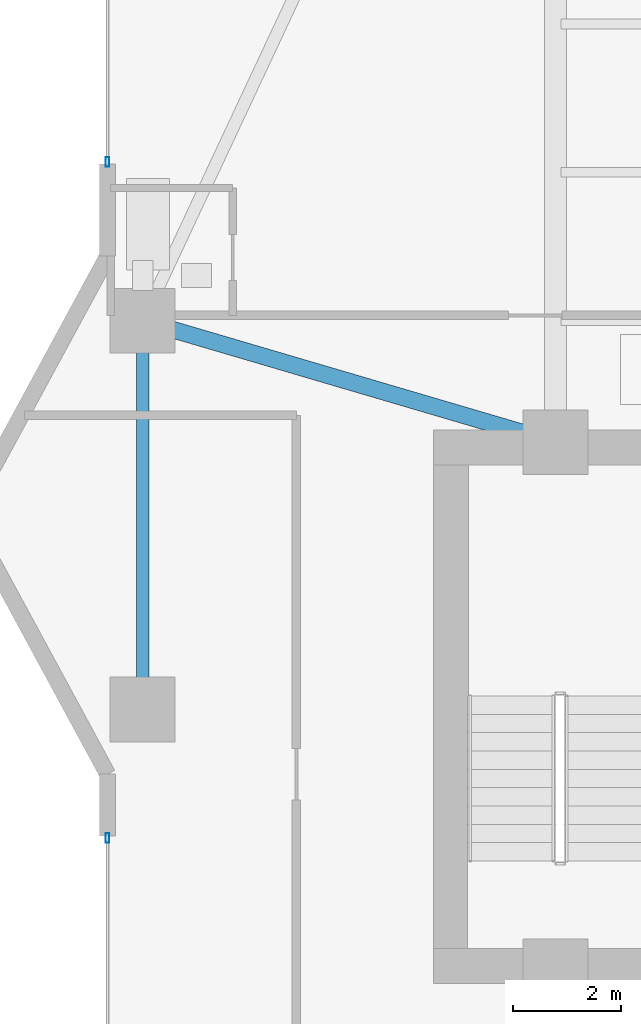
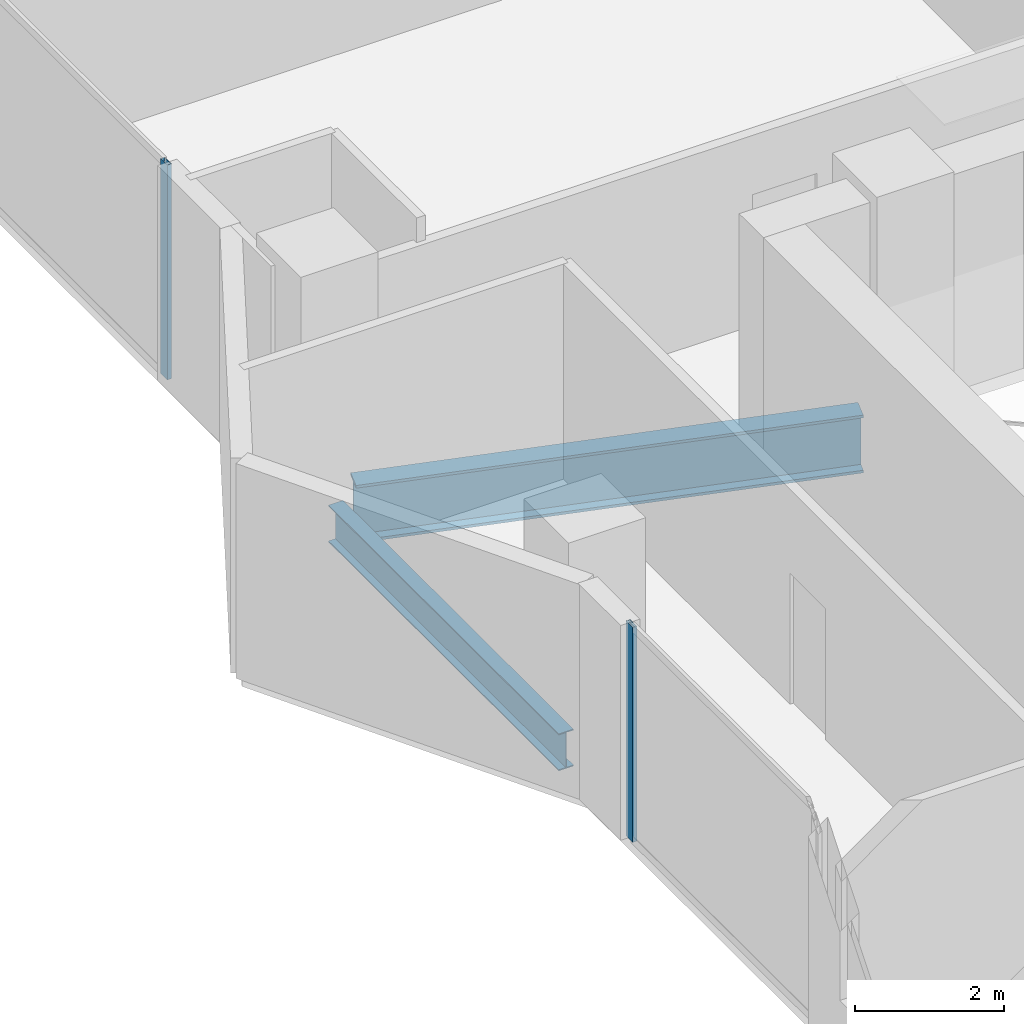
# One storey, part 8 of 32: 2 beams, 2 members, 2 elements without a shape of their own.
"""IFC4 building model written with IfcOpenShell, lengths in metres."""

from ifc_helpers import new_model, si_unit, direction, frame, origin, origin_2d, place, context, subcontext, project, spatial, hollow_rectangle, i_section, extrude, material, layer, layer_set, material_profile, profile_set, type_object, element, aggregate, save


model = new_model("IFC4")

# Units and contexts
model_context = context("Model", 3, precision=1e-05, world=origin(), true_north=direction((0.0, 1.0)))
body_context = subcontext(model_context, "Body", "Model", "MODEL_VIEW")
ifc_project = project(units=[si_unit("LENGTHUNIT", "METRE"), si_unit("AREAUNIT", "SQUARE_METRE"), si_unit("VOLUMEUNIT", "CUBIC_METRE"), si_unit("PLANEANGLEUNIT", "RADIAN"), si_unit("MASSUNIT", "GRAM", prefix="KILO")], contexts=[model_context])

# Site, building, storey
site_placement = place(None, origin())
site = spatial("IfcSite", under=ifc_project, at=site_placement, CompositionType="ELEMENT")
building_placement = place(site_placement, origin())
building = spatial("IfcBuilding", under=site, at=building_placement, Name="Zuhayl Quay Hotel", CompositionType="ELEMENT")
storey_placement = place(building_placement, frame((0.0, 0.0, 218.64990234375)))
storey = spatial("IfcBuildingStorey", under=building, at=storey_placement, Name="L55", CompositionType="ELEMENT", Elevation=218.64990234375)

# Beams
ifc_material_1 = material(Name="Steel ASTM A992 Grade 50", Category="steel")
ifc_material_profile_1 = material_profile(ifc_material_1, i_section(OverallWidth=0.22802734375, OverallDepth=0.60693359375, WebThickness=0.01123046875, FlangeThickness=0.017333984375, at=origin_2d()), Name="W24X76")
ifc_profile_set_1 = profile_set([ifc_material_profile_1], Name="Steel ASTM A992 Grade 50")
beam_type_1 = type_object("IfcBeamType", Name="BM_B3_W24X76", PredefinedType="BEAM", material=ifc_profile_set_1)
beam_1_placement = place(storey_placement, frame((-21.449951171875, 16.10009765625, -0.5234375), z_axis=(0.0, -1.0, 0.0), x_axis=(1.0, 0.0, 0.0)))
element("IfcBeam", 1, at=beam_1_placement, inside=storey, type_object=beam_type_1, Name="L55 Floor Beam RG_L55_11", PredefinedType="BEAM", context=body_context, shape_type="SweptSolid", body=[
    extrude(i_section(OverallWidth=0.22802734375, OverallDepth=0.60693359375, WebThickness=0.01123046875, FlangeThickness=0.017333984375, at=origin_2d()), origin(), (0.0, 0.0, 1.0), 6.2001953125),
])
ifc_material_profile_2 = material_profile(ifc_material_1, i_section(OverallWidth=0.31005859375, OverallDepth=0.949951171875, WebThickness=0.0244140625, FlangeThickness=0.0439453125, at=origin_2d()), Name="W36X256")
ifc_profile_set_2 = profile_set([ifc_material_profile_2], Name="Steel ASTM A992 Grade 50")
beam_type_2 = type_object("IfcBeamType", Name="BM_PG1_W36X256", PredefinedType="BEAM", material=ifc_profile_set_2)
beam_2_placement = place(storey_placement, frame((-20.97021484375, 16.458984375, -0.69482421875), z_axis=(0.959364948093, -0.282168205812, 0.0), x_axis=(0.282168205812, 0.959364948093, 0.0)))
element("IfcBeam", 2, at=beam_2_placement, inside=storey, type_object=beam_type_2, Name="L55 Floor Beam FG_W_L55_2", PredefinedType="BEAM", context=body_context, shape_type="SweptSolid", body=[
    extrude(i_section(OverallWidth=0.31005859375, OverallDepth=0.949951171875, WebThickness=0.0244140625, FlangeThickness=0.0439453125, at=origin_2d()), origin(), (0.0, 0.0, 1.0), 7.02392578125),
])

# Curtain wall, member
ifc_material_2 = material(Name="Anodised Aluminium 6063-T6", Category="aluminium")
ifc_layer = layer(ifc_material_2, 0.175048828125, Name="Anodised Aluminium 6063-T6", Category="aluminium")
ifc_layer_set = layer_set([ifc_layer], Name="Anodised Aluminium 6063-T6")
curtain_wall_type = type_object("IfcCurtainWallType", Name="CW_SYS_Z3", PredefinedType="USERDEFINED", material=ifc_layer_set)
curtain_wall_1_placement = place(storey_placement, origin())
curtain_wall_1 = element("IfcCurtainWall", 3, at=curtain_wall_1_placement, inside=storey, type_object=curtain_wall_type, Name="L55 Curtain Wall ENV_L55_E02_CW2", ObjectType="UNITISED CURTAIN WALL", PredefinedType="USERDEFINED")
ifc_material_3 = material(Name="Black-anodised aluminium 6063-T6", Category="aluminium")
ifc_material_profile_3 = material_profile(ifc_material_3, hollow_rectangle(XDim=0.06494140625, YDim=0.179931640625, WallThickness=0.00341796875, at=origin_2d()), Name="ALU180X65")
ifc_profile_set_3 = profile_set([ifc_material_profile_3], Name="Black-anodised aluminium 6063-T6")
member_type = type_object("IfcMemberType", Name="MB_CW_MUL_180", PredefinedType="MULLION", material=ifc_profile_set_3)
member_1_placement = place(storey_placement, frame((-22.10009765625, 7.017578125, 0.0), z_axis=(0.0, 0.0, 1.0), x_axis=(-1.0, 0.0, 0.0)))
member_1 = element("IfcMember", 4, at=member_1_placement, type_object=member_type, Name="CW-Z3 mullion 2", PredefinedType="MULLION", context=body_context, shape_type="SweptSolid", body=[
    extrude(hollow_rectangle(XDim=0.06494140625, YDim=0.179931640625, WallThickness=0.00341796875, at=origin_2d()), origin(), (0.0, 0.0, 1.0), 3.530029296875),
])
aggregate(curtain_wall_1, [member_1])

curtain_wall_2_placement = place(storey_placement, origin())
curtain_wall_2 = element("IfcCurtainWall", 5, at=curtain_wall_2_placement, inside=storey, type_object=curtain_wall_type, Name="L55 Curtain Wall ENV_L55_E05_CW1", ObjectType="UNITISED CURTAIN WALL", PredefinedType="USERDEFINED")
member_2_placement = place(storey_placement, frame((-22.10009765625, 19.54248046875, 0.0), z_axis=(0.0, 0.0, 1.0), x_axis=(-1.0, 0.0, 0.0)))
member_2 = element("IfcMember", 6, at=member_2_placement, type_object=member_type, Name="CW-Z3 mullion 1", PredefinedType="MULLION", context=body_context, shape_type="SweptSolid", body=[
    extrude(hollow_rectangle(XDim=0.06494140625, YDim=0.179931640625, WallThickness=0.00341796875, at=origin_2d()), origin(), (0.0, 0.0, 1.0), 3.530029296875),
])
aggregate(curtain_wall_2, [member_2])

save(model, "model.ifc")
